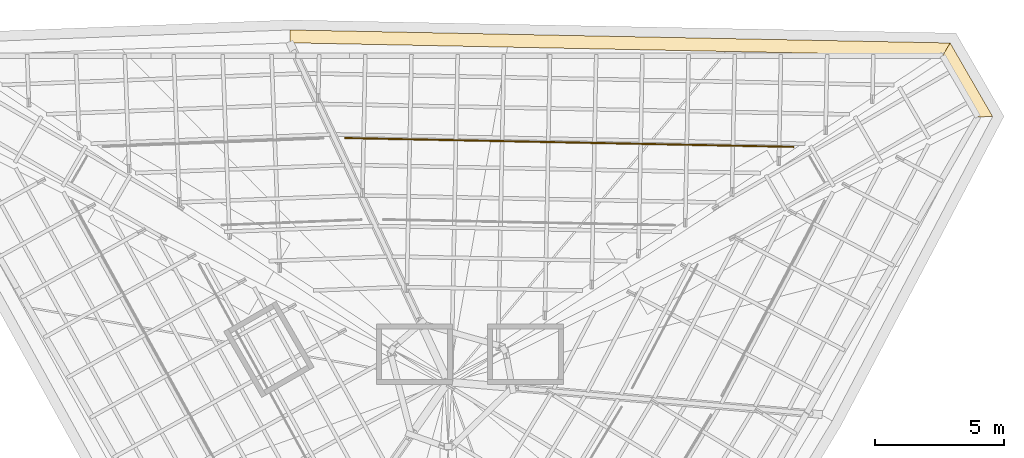
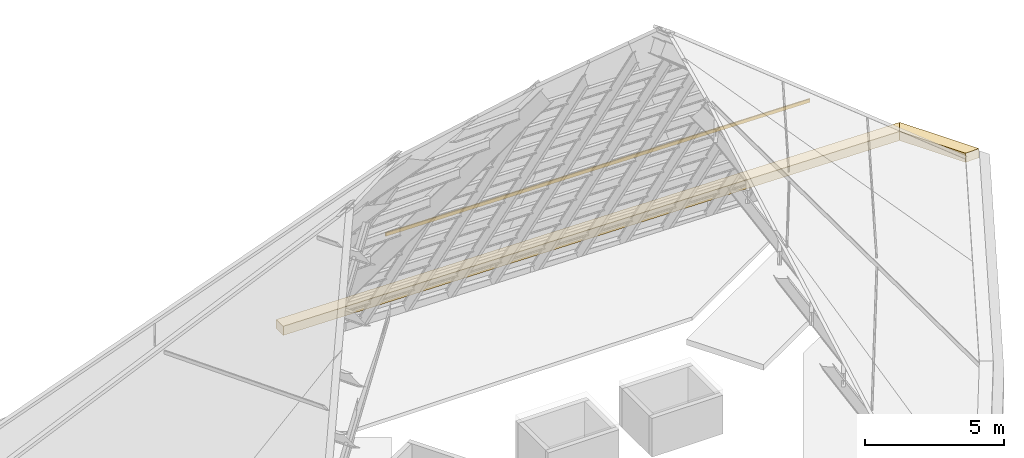
# One storey, part 6 of 6: 3 coverings.
"""IFC4 building model written with IfcOpenShell, lengths in metres."""

from ifc_helpers import new_model, si_unit, direction, frame, origin, origin_2d, place, context, subcontext, project, spatial, polyline, rectangle, outline, extrude, material, layer, layer_set, type_object, element, save


model = new_model("IFC4")

# Units and contexts
model_context = context("Model", 3, precision=1e-05, world=origin(), true_north=direction((0.0, 1.0)))
body_context = subcontext(model_context, "Body", "Model", "MODEL_VIEW")
ifc_project = project(units=[si_unit("LENGTHUNIT", "METRE"), si_unit("AREAUNIT", "SQUARE_METRE"), si_unit("VOLUMEUNIT", "CUBIC_METRE"), si_unit("PLANEANGLEUNIT", "RADIAN"), si_unit("MASSUNIT", "GRAM", prefix="KILO")], contexts=[model_context])

# Site, building, storey
site_placement = place(None, origin())
site = spatial("IfcSite", under=ifc_project, at=site_placement, CompositionType="ELEMENT")
building_placement = place(site_placement, origin())
building = spatial("IfcBuilding", under=site, at=building_placement, Name="Verrane Prism Tower", CompositionType="ELEMENT")
storey_placement = place(building_placement, frame((0.0, 0.0, 333.60009765625)))
storey = spatial("IfcBuildingStorey", under=building, at=storey_placement, Name="Roof", CompositionType="ELEMENT", Elevation=333.60009765625)

# Coverings
ifc_material_1 = material(Name="Zinc lined gutter", Category="metal")
covering_type_1 = type_object("IfcCoveringType", Name="Heated eaves gutter 400", PredefinedType="USERDEFINED", material=ifc_material_1)
covering_1_placement = place(storey_placement, origin())
element("IfcCovering", 1, at=covering_1_placement, inside=storey, type_object=covering_type_1, Name="Heated eaves gutter 1", ObjectType="EAVES GUTTER", PredefinedType="USERDEFINED", context=body_context, shape_type="SweptSolid", body=[
    extrude(outline(polyline([(21.1123046875, 10.289794921875), (19.46435546875, 13.144287109375), (19.17236328125, 12.64990234375), (20.54150390625, 10.27880859375), (21.1123046875, 10.289794921875)])), origin(), (0.0, 0.0, 1.0), 0.39990234375),
])
covering_2_placement = place(storey_placement, origin())
element("IfcCovering", 2, at=covering_2_placement, inside=storey, type_object=covering_type_1, Name="Heated eaves gutter 2", ObjectType="EAVES GUTTER", PredefinedType="USERDEFINED", context=body_context, shape_type="SweptSolid", body=[
    extrude(outline(polyline([(19.46435546875, 13.144287109375), (-6.139892578125, 13.650146484375), (-6.13525390625, 13.14990234375), (19.17236328125, 12.64990234375), (19.46435546875, 13.144287109375)])), origin(), (0.0, 0.0, 1.0), 0.39990234375),
])
ifc_material_2 = material(Name="Stainless steel bar", Category="steel")
ifc_layer = layer(ifc_material_2, 0.050048828125)
ifc_layer_set = layer_set([ifc_layer], Name="Snow guard bar 150")
covering_type_2 = type_object("IfcCoveringType", Name="Snow guard bar 150", PredefinedType="USERDEFINED", material=ifc_layer_set)
covering_3_placement = place(storey_placement, frame((4.693359375, 9.2880859375, 5.858154296875), z_axis=(0.0, 0.0, 1.0), x_axis=(-0.999804903267, 0.019752351834, 0.0)))
element("IfcCovering", 3, at=covering_3_placement, inside=storey, type_object=covering_type_2, Name="Snow guard bar plane 2 row 1", ObjectType="SNOW GUARD", PredefinedType="USERDEFINED", context=body_context, shape_type="SweptSolid", body=[
    extrude(rectangle(XDim=17.425048828125, YDim=0.050048828125, at=origin_2d()), origin(), (0.0, 0.0, 1.0), 0.14990234375),
])

save(model, "model.ifc")
